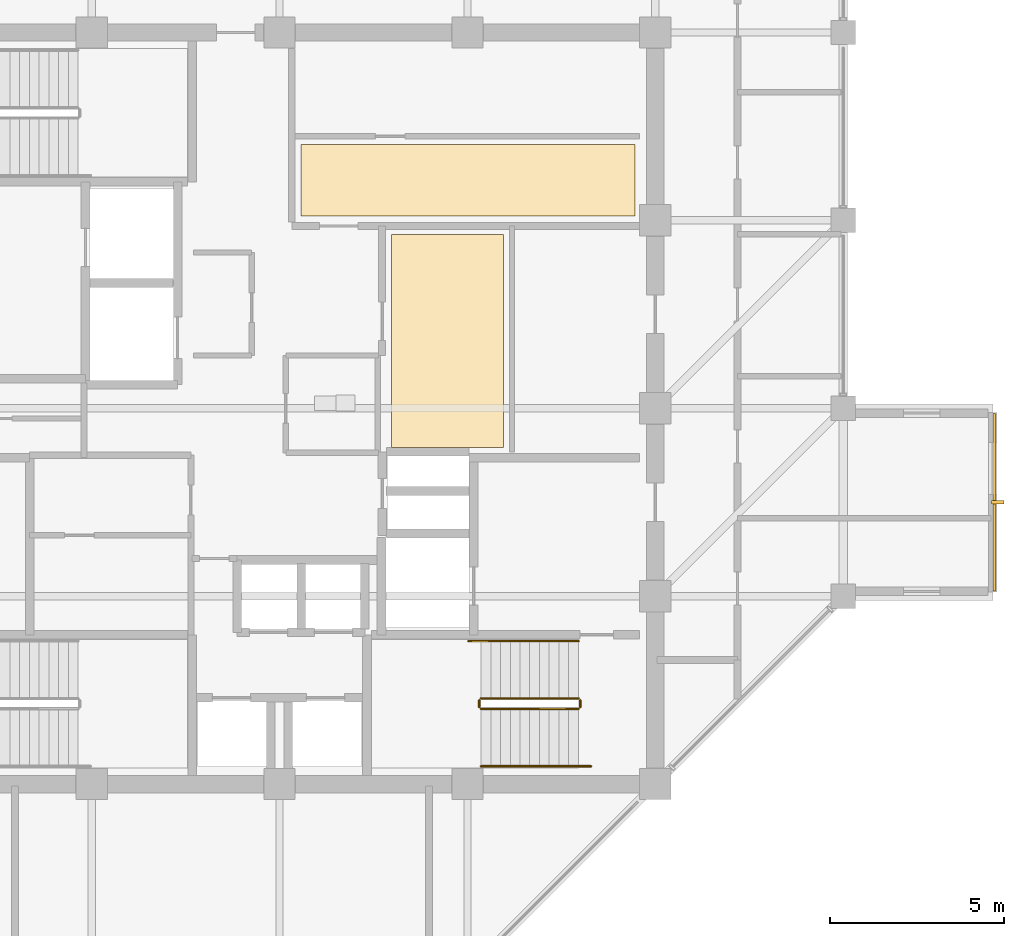
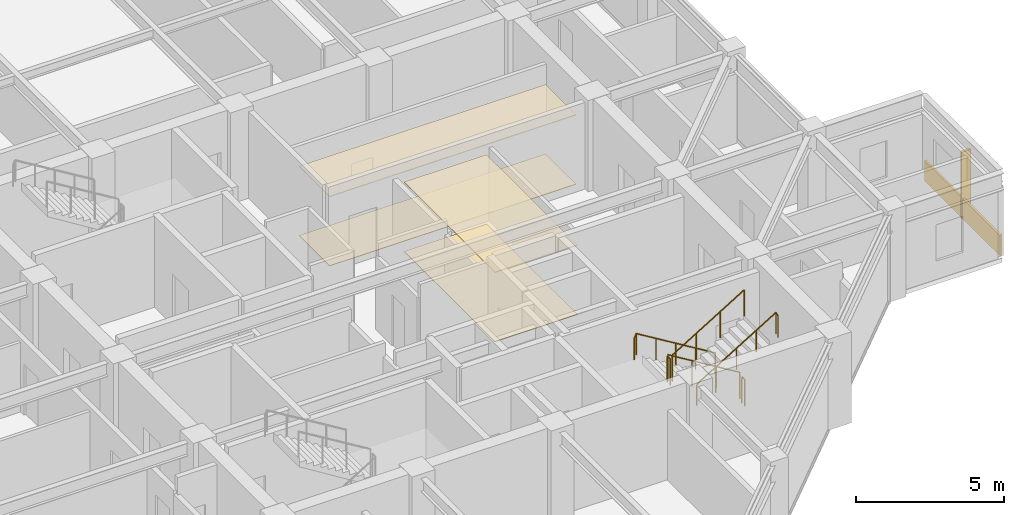
# One storey, part 30 of 31: 6 railings, 5 coverings, 1 shading device.
"""IFC4 building model written with IfcOpenShell, lengths in metres."""

from ifc_helpers import new_model, si_unit, direction, frame, origin, origin_2d, place, context, subcontext, project, spatial, polyline, rectangle, circle, outline, extrude, material, layer, layer_set, type_object, element, save


model = new_model("IFC4")

# Units and contexts
model_context = context("Model", 3, precision=1e-05, world=origin(), true_north=direction((0.0, 1.0)))
body_context = subcontext(model_context, "Body", "Model", "MODEL_VIEW")
ifc_project = project(units=[si_unit("LENGTHUNIT", "METRE"), si_unit("AREAUNIT", "SQUARE_METRE"), si_unit("VOLUMEUNIT", "CUBIC_METRE"), si_unit("PLANEANGLEUNIT", "RADIAN"), si_unit("MASSUNIT", "GRAM", prefix="KILO")], contexts=[model_context])

# Site, building, storey
site_placement = place(None, origin())
site = spatial("IfcSite", under=ifc_project, at=site_placement, CompositionType="ELEMENT")
building_placement = place(site_placement, origin())
building = spatial("IfcBuilding", under=site, at=building_placement, Name="Surkhivell Harbour Commons", CompositionType="ELEMENT")
storey_placement = place(building_placement, frame((0.0, 0.0, 318.75)))
storey = spatial("IfcBuildingStorey", under=building, at=storey_placement, Name="L83", CompositionType="ELEMENT", Elevation=318.75)

# Coverings
ifc_material_1 = material(Name="Perforated acoustic mineral-fibre ceiling tile", Category="other")
ifc_layer_1 = layer(ifc_material_1, 0.02490234375)
ifc_layer_set_1 = layer_set([ifc_layer_1], Name="Perforated acoustic mineral-fibre ceiling tile")
covering_type_1 = type_object("IfcCoveringType", Name="COV-CEIL-AC", PredefinedType="CEILING", material=ifc_layer_set_1)
covering_1_placement = place(storey_placement, frame((0.0, 0.0, 2.85205078125)))
element("IfcCovering", 1, at=covering_1_placement, inside=storey, type_object=covering_type_1, Name="L83 Suspended Acoustic Ceiling 1", PredefinedType="CEILING", context=body_context, shape_type="SweptSolid", body=[
    extrude(outline(polyline([(0.6201171875, 5.52001953125), (10.219970703125, 5.52001953125), (10.219970703125, 7.580078125), (0.6201171875, 7.580078125), (0.6201171875, 5.52001953125)])), origin(), (0.0, 0.0, 1.0), 0.02490234375),
])
ifc_material_2 = material(Name="Moisture-resistant gypsum acoustic ceiling board", Category="other")
ifc_layer_2 = layer(ifc_material_2, 0.030029296875)
ifc_layer_set_2 = layer_set([ifc_layer_2], Name="Moisture-resistant gypsum acoustic ceiling board")
covering_type_2 = type_object("IfcCoveringType", Name="COV-CEIL-GYP", PredefinedType="CEILING", material=ifc_layer_set_2)
covering_2_placement = place(storey_placement, frame((0.0, 0.0, 2.846923828125)))
element("IfcCovering", 2, at=covering_2_placement, inside=storey, type_object=covering_type_2, Name="L83 Suspended Acoustic Ceiling 2", PredefinedType="CEILING", context=body_context, shape_type="SweptSolid", body=[
    extrude(outline(polyline([(3.219970703125, -1.1298828125), (6.429931640625, -1.1298828125), (6.429931640625, 5.0), (3.219970703125, 5.0), (3.219970703125, -1.1298828125)])), origin(), (0.0, 0.0, 1.0), 0.030029296875),
])
ifc_material_3 = material(Name="Saffron-gold enamelled aluminium cassette panel", Category="aluminium")
ifc_layer_3 = layer(ifc_material_3, 0.070068359375)
ifc_layer_set_3 = layer_set([ifc_layer_3], Name="Saffron-gold enamelled aluminium cassette panel")
covering_type_3 = type_object("IfcCoveringType", Name="COV-CLAD-SAF", PredefinedType="CLADDING", material=ifc_layer_set_3)
covering_3_placement = place(storey_placement, frame((20.5400390625, -2.699951171875, 0.0), z_axis=(0.0, 0.0, 1.0), x_axis=(1.0, 0.0, 0.0)))
element("IfcCovering", 3, at=covering_3_placement, inside=storey, type_object=covering_type_3, Name="L83 Coloured-Panel Box Spandrel Cassette 01", PredefinedType="CLADDING", context=body_context, shape_type="SweptSolid", body=[
    extrude(rectangle(XDim=0.080078125, YDim=5.10009765625, at=origin_2d()), origin(), (0.0, 0.0, 1.0), 0.840087890625),
])
ifc_material_4 = material(Name="Engineered acoustic oak timber flooring", Category="wood")
ifc_layer_4 = layer(ifc_material_4, 0.02001953125)
ifc_layer_set_4 = layer_set([ifc_layer_4], Name="Engineered acoustic oak timber flooring")
covering_type_4 = type_object("IfcCoveringType", Name="COV-FLR-TIM", PredefinedType="FLOORING", material=ifc_layer_set_4)
covering_4_placement = place(storey_placement, origin())
element("IfcCovering", 4, at=covering_4_placement, inside=storey, type_object=covering_type_4, Name="L83 Interior Floor Finish 1", PredefinedType="FLOORING", context=body_context, shape_type="SweptSolid", body=[
    extrude(outline(polyline([(0.6201171875, 5.52001953125), (10.219970703125, 5.52001953125), (10.219970703125, 7.580078125), (0.6201171875, 7.580078125), (0.6201171875, 5.52001953125)])), origin(), (0.0, 0.0, 1.0), 0.02001953125),
])
covering_5_placement = place(storey_placement, origin())
element("IfcCovering", 5, at=covering_5_placement, inside=storey, type_object=covering_type_4, Name="L83 Interior Floor Finish 2", PredefinedType="FLOORING", context=body_context, shape_type="SweptSolid", body=[
    extrude(outline(polyline([(3.219970703125, -1.1298828125), (6.429931640625, -1.1298828125), (6.429931640625, 5.0), (3.219970703125, 5.0), (3.219970703125, -1.1298828125)])), origin(), (0.0, 0.0, 1.0), 0.02001953125),
])

# Railings
ifc_material_5 = material(Name="Galvanised and painted steel S355 guard rail", Category="steel")
railing_type_1 = type_object("IfcRailingType", Name="RAL-ST-GRD1100", PredefinedType="GUARDRAIL", material=ifc_material_5)
railing_1_placement = place(storey_placement, frame((8.590087890625, -8.340087890625, 0.17041015625)))
element("IfcRailing", 6, at=railing_1_placement, inside=storey, type_object=railing_type_1, Name="L83 ST2 stair guard 1", PredefinedType="GUARDRAIL", context=body_context, shape_type="SweptSolid", body=[
    extrude(circle(Radius=0.02392578125, at=origin_2d()), frame((0.0, 0.0, 1.076171875), z_axis=(-0.854169791009, 0.0, 0.51999420009), x_axis=(0.0, -1.0, 0.0)), (0.0, 0.0, 1.0), 3.278076171875),
    extrude(circle(Radius=0.02099609375, at=origin_2d()), origin(), (0.0, 0.0, 1.0), 1.052001953125),
    extrude(circle(Radius=0.02099609375, at=origin_2d()), frame((-0.933349609375, 0.0, 0.568115234375)), (0.0, 0.0, 1.0), 1.052001953125),
    extrude(circle(Radius=0.02099609375, at=origin_2d()), frame((-1.86669921875, 0.0, 1.136474609375)), (0.0, 0.0, 1.0), 1.052001953125),
    extrude(circle(Radius=0.02099609375, at=origin_2d()), frame((-2.800048828125, 0.0, 1.70458984375)), (0.0, 0.0, 1.0), 1.052001953125),
])
railing_2_placement = place(storey_placement, frame((5.739990234375, -8.389892578125, 1.875)))
element("IfcRailing", 7, at=railing_2_placement, inside=storey, type_object=railing_type_1, Name="L83 ST2 stair guard 2", PredefinedType="GUARDRAIL", context=body_context, shape_type="SweptSolid", body=[
    extrude(circle(Radius=0.02392578125, at=origin_2d()), frame((0.0, 0.0, 1.076171875), z_axis=(0.0, -1.0, 0.0), x_axis=(1.0, 0.0, 0.0)), (0.0, 0.0, 1.0), 0.2001953125),
    extrude(circle(Radius=0.02099609375, at=origin_2d()), origin(), (0.0, 0.0, 1.0), 1.052001953125),
    extrude(circle(Radius=0.02099609375, at=origin_2d()), frame((0.0, -0.2001953125, 0.0)), (0.0, 0.0, 1.0), 1.052001953125),
])
railing_3_placement = place(storey_placement, frame((5.7900390625, -8.639892578125, 2.04541015625)))
element("IfcRailing", 8, at=railing_3_placement, inside=storey, type_object=railing_type_1, Name="L83 ST2 stair guard 3", PredefinedType="GUARDRAIL", context=body_context, shape_type="SweptSolid", body=[
    extrude(circle(Radius=0.02392578125, at=origin_2d()), frame((0.0, 0.0, 1.076171875), z_axis=(0.854169791009, 0.0, 0.51999420009), x_axis=(0.0, 1.0, 0.0)), (0.0, 0.0, 1.0), 3.278076171875),
    extrude(circle(Radius=0.02099609375, at=origin_2d()), origin(), (0.0, 0.0, 1.0), 1.052001953125),
    extrude(circle(Radius=0.02099609375, at=origin_2d()), frame((0.933349609375, 0.0, 0.568115234375)), (0.0, 0.0, 1.0), 1.052001953125),
    extrude(circle(Radius=0.02099609375, at=origin_2d()), frame((1.86669921875, 0.0, 1.136474609375)), (0.0, 0.0, 1.0), 1.052001953125),
    extrude(circle(Radius=0.02099609375, at=origin_2d()), frame((2.800048828125, 0.0, 1.70458984375)), (0.0, 0.0, 1.0), 1.052001953125),
])
railing_4_placement = place(storey_placement, frame((8.639892578125, -8.389892578125, 0.0)))
element("IfcRailing", 9, at=railing_4_placement, inside=storey, type_object=railing_type_1, Name="L83 ST2 stair guard 4", PredefinedType="GUARDRAIL", context=body_context, shape_type="SweptSolid", body=[
    extrude(circle(Radius=0.02392578125, at=origin_2d()), frame((0.0, 0.0, 1.076171875), z_axis=(0.0, -1.0, 0.0), x_axis=(1.0, 0.0, 0.0)), (0.0, 0.0, 1.0), 0.2001953125),
    extrude(circle(Radius=0.02099609375, at=origin_2d()), origin(), (0.0, 0.0, 1.0), 1.052001953125),
    extrude(circle(Radius=0.02099609375, at=origin_2d()), frame((0.0, -0.2001953125, 0.0)), (0.0, 0.0, 1.0), 1.052001953125),
])
ifc_material_6 = material(Name="Brushed stainless steel S355 handrail", Category="steel")
railing_type_2 = type_object("IfcRailingType", Name="RAL-ST-HND900", PredefinedType="HANDRAIL", material=ifc_material_6)
railing_5_placement = place(storey_placement, frame((8.590087890625, -6.68994140625, 0.17041015625)))
element("IfcRailing", 10, at=railing_5_placement, inside=storey, type_object=railing_type_2, Name="L83 ST2 stair handrail 1", PredefinedType="HANDRAIL", context=body_context, shape_type="SweptSolid", body=[
    extrude(circle(Radius=0.02392578125, at=origin_2d()), frame((0.0, 0.0, 0.8759765625), z_axis=(-0.854177636135, 0.0, 0.519981313056), x_axis=(0.0, -1.0, 0.0)), (0.0, 0.0, 1.0), 3.60595703125),
    extrude(circle(Radius=0.02392578125, at=origin_2d()), frame((-3.080078125, 0.0, 2.7509765625), z_axis=(-0.425297416671, 0.0, -0.905053648892), x_axis=(0.0, -1.0, 0.0)), (0.0, 0.0, 1.0), 0.188232421875),
    extrude(circle(Radius=0.02099609375, at=origin_2d()), origin(), (0.0, 0.0, 1.0), 0.851806640625),
    extrude(circle(Radius=0.02099609375, at=origin_2d()), frame((-0.77001953125, 0.0, 0.46875)), (0.0, 0.0, 1.0), 0.851806640625),
    extrude(circle(Radius=0.02099609375, at=origin_2d()), frame((-1.5400390625, 0.0, 0.9375)), (0.0, 0.0, 1.0), 0.851806640625),
    extrude(circle(Radius=0.02099609375, at=origin_2d()), frame((-2.31005859375, 0.0, 1.40625)), (0.0, 0.0, 1.0), 0.851806640625),
    extrude(circle(Radius=0.02099609375, at=origin_2d()), frame((-3.080078125, 0.0, 1.875)), (0.0, 0.0, 1.0), 0.851806640625),
    extrude(circle(Radius=0.02099609375, at=origin_2d()), frame((-3.16015625, 0.0, 1.70458984375)), (0.0, 0.0, 1.0), 0.851806640625),
])
railing_6_placement = place(storey_placement, frame((5.7900390625, -10.2900390625, 2.04541015625)))
element("IfcRailing", 11, at=railing_6_placement, inside=storey, type_object=railing_type_2, Name="L83 ST2 stair handrail 2", PredefinedType="HANDRAIL", context=body_context, shape_type="SweptSolid", body=[
    extrude(circle(Radius=0.02392578125, at=origin_2d()), frame((0.0, 0.0, 0.8759765625), z_axis=(0.854177636135, 0.0, 0.519981313056), x_axis=(0.0, 1.0, 0.0)), (0.0, 0.0, 1.0), 3.60595703125),
    extrude(circle(Radius=0.02392578125, at=origin_2d()), frame((3.080078125, 0.0, 2.7509765625), z_axis=(0.424234432967, 0.0, -0.905552398199), x_axis=(0.0, 1.0, 0.0)), (0.0, 0.0, 1.0), 0.188232421875),
    extrude(circle(Radius=0.02099609375, at=origin_2d()), origin(), (0.0, 0.0, 1.0), 0.851806640625),
    extrude(circle(Radius=0.02099609375, at=origin_2d()), frame((0.77001953125, 0.0, 0.46875)), (0.0, 0.0, 1.0), 0.851806640625),
    extrude(circle(Radius=0.02099609375, at=origin_2d()), frame((1.5400390625, 0.0, 0.9375)), (0.0, 0.0, 1.0), 0.851806640625),
    extrude(circle(Radius=0.02099609375, at=origin_2d()), frame((2.31005859375, 0.0, 1.40625)), (0.0, 0.0, 1.0), 0.851806640625),
    extrude(circle(Radius=0.02099609375, at=origin_2d()), frame((3.080078125, 0.0, 1.875)), (0.0, 0.0, 1.0), 0.851806640625),
    extrude(circle(Radius=0.02099609375, at=origin_2d()), frame((3.159912109375, 0.0, 1.70458984375)), (0.0, 0.0, 1.0), 0.851806640625),
])

# Shading device
ifc_material_7 = material(Name="Anodised pale-metal aluminium solar fin", Category="aluminium")
shading_device_type = type_object("IfcShadingDeviceType", Name="SHD-FIN-VERT", PredefinedType="USERDEFINED", material=ifc_material_7)
shading_device_placement = place(storey_placement, frame((20.639892578125, -2.699951171875, 0.0048828125), z_axis=(0.0, 0.0, 1.0), x_axis=(1.0, 0.0, 0.0)))
element("IfcShadingDevice", 12, at=shading_device_placement, inside=storey, type_object=shading_device_type, Name="L83 Coloured-Box Solar Fin 01", ObjectType="FIN", PredefinedType="USERDEFINED", context=body_context, shape_type="SweptSolid", body=[
    extrude(rectangle(XDim=0.360107421875, YDim=0.090087890625, at=origin_2d()), origin(), (0.0, 0.0, 1.0), 2.75),
])

save(model, "model.ifc")
